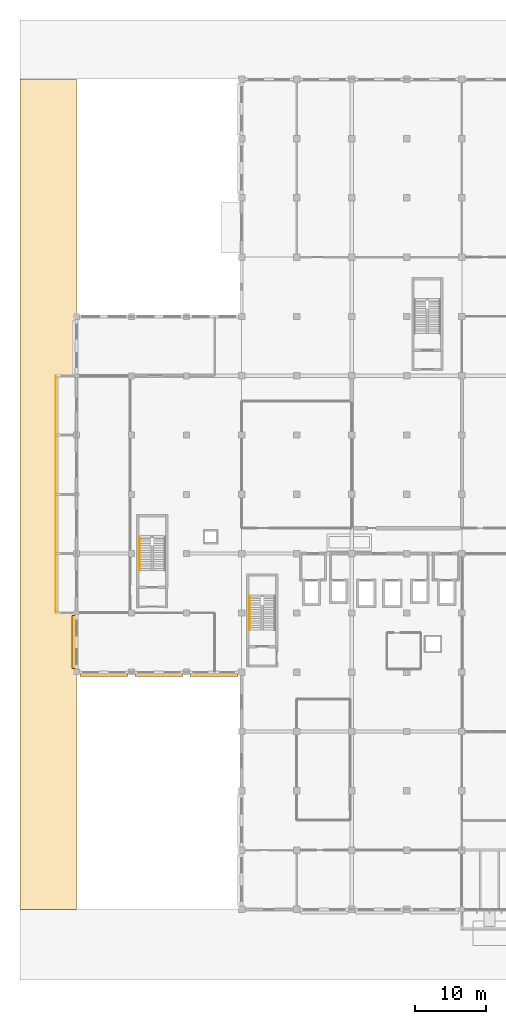
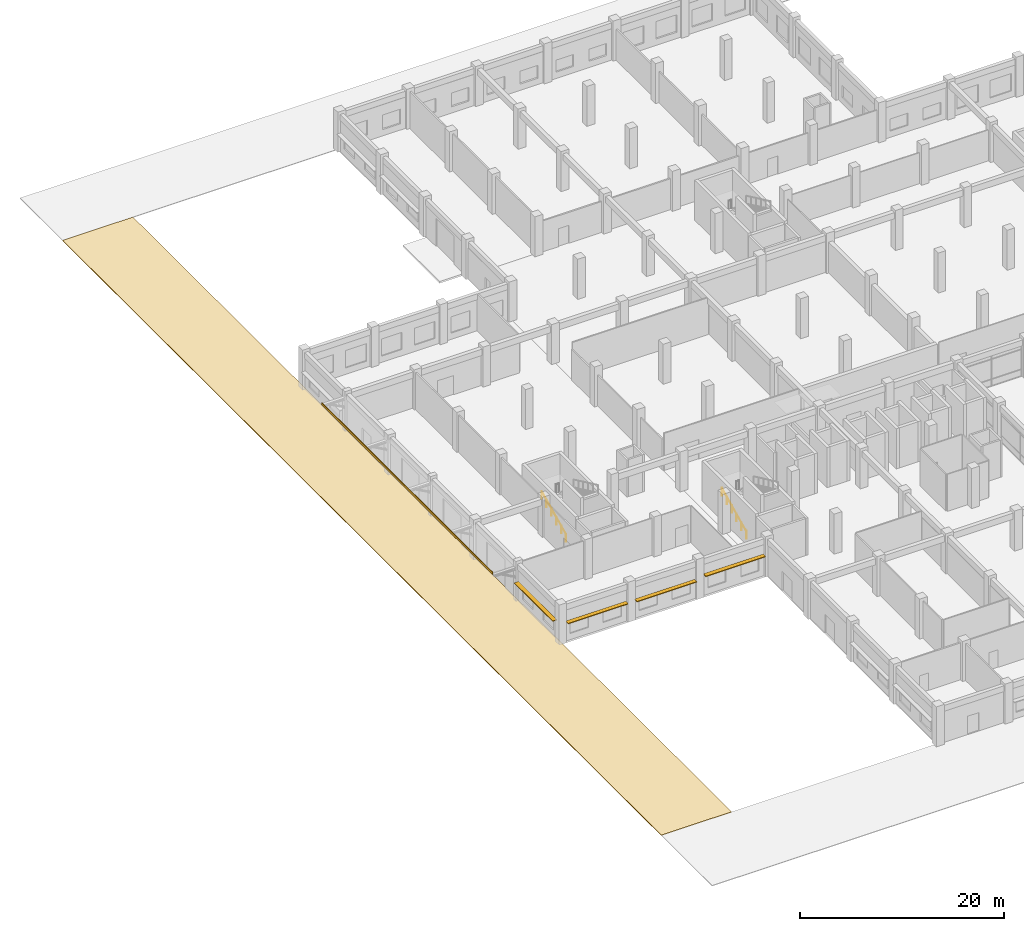
# One storey, part 62 of 74: 5 shading devices, 2 railings, 1 covering.
"""IFC4 building model written with IfcOpenShell, lengths in metres."""

from ifc_helpers import new_model, si_unit, direction, frame, origin, origin_2d, place, context, subcontext, project, spatial, polyline, rectangle, circle, outline, extrude, material, layer, layer_set, type_object, element, save


model = new_model("IFC4")

# Units and contexts
model_context = context("Model", 3, precision=1e-05, world=origin(), true_north=direction((0.0, 1.0)))
body_context = subcontext(model_context, "Body", "Model", "MODEL_VIEW")
ifc_project = project(units=[si_unit("LENGTHUNIT", "METRE"), si_unit("AREAUNIT", "SQUARE_METRE"), si_unit("VOLUMEUNIT", "CUBIC_METRE"), si_unit("PLANEANGLEUNIT", "RADIAN"), si_unit("MASSUNIT", "GRAM", prefix="KILO"), si_unit("THERMODYNAMICTEMPERATUREUNIT", "KELVIN"), si_unit("POWERUNIT", "WATT")], contexts=[model_context])

# Site, building, storey
site_placement = place(None, origin())
site = spatial("IfcSite", under=ifc_project, at=site_placement, CompositionType="ELEMENT")
building_placement = place(site_placement, origin())
building = spatial("IfcBuilding", under=site, at=building_placement, Name="Srebrne Nadtorze General Hospital", CompositionType="ELEMENT")
storey_placement = place(building_placement, origin())
storey = spatial("IfcBuildingStorey", under=building, at=storey_placement, Name="L00", CompositionType="ELEMENT", Elevation=0.0)

# Covering
ifc_material_1 = material(Name="Concrete C35/45 precast", Category="concrete")
ifc_layer_1 = layer(ifc_material_1, 0.080078125)
ifc_layer_set_1 = layer_set([ifc_layer_1], Name="Concrete C35/45 precast")
covering_type = type_object("IfcCoveringType", Name="Granite civic forecourt and perimeter paving", PredefinedType="USERDEFINED", material=ifc_layer_set_1)
covering_placement = place(storey_placement, frame((0.0, 0.0, -0.080078125)))
element("IfcCovering", 1, at=covering_placement, inside=storey, type_object=covering_type, Name="Civic plaza and perimeter site access paving WEST", ObjectType="PAVING", PredefinedType="USERDEFINED", context=body_context, shape_type="SweptSolid", body=[
    extrude(outline(polyline([(-8.0, -0.02001953125), (-0.02001953125, -0.02001953125), (-0.02001953125, 117.6201171875), (-8.0, 117.6201171875), (-8.0, -0.02001953125)])), origin(), (0.0, 0.0, 1.0), 0.080078125),
])

# Shading devices
ifc_material_2 = material(Name="Anodised Aluminium", Category="aluminium")
ifc_layer_2 = layer(ifc_material_2, 0.080078125)
ifc_layer_set_2 = layer_set([ifc_layer_2], Name="Anodised Aluminium")
shading_device_type = type_object("IfcShadingDeviceType", Name="Hisashi horizontal aluminium sunshade", PredefinedType="JALOUSIE", material=ifc_layer_set_2)
for number, where, z_axis, x_axis, name in (
    (2, (3.89990234375, 33.219970703125, 2.320068359375), (0.0, 0.0, 1.0), (1.0, 0.0, 0.0), "Hisashi horizontal sunshade eave LV-020"),
    (3, (11.699951171875, 33.219970703125, 2.219970703125), (0.0, 0.0, 1.0), (1.0, 0.0, 0.0), "Hisashi horizontal sunshade eave LV-021"),
):
    element("IfcShadingDevice", number, at=place(storey_placement, frame(where, z_axis=z_axis, x_axis=x_axis)), inside=storey, type_object=shading_device_type, Name=name, PredefinedType="JALOUSIE", context=body_context, shape_type="SweptSolid", body=[
        extrude(rectangle(XDim=6.7900390625, YDim=0.47998046875, at=origin_2d()), origin(), (0.0, 0.0, 1.0), 0.080078125),
    ])
shading_device_1_placement = place(storey_placement, frame((19.487548828125, 33.219970703125, 2.52001953125), z_axis=(0.0, 0.0, 1.0), x_axis=(1.0, 0.0, 0.0)))
element("IfcShadingDevice", 4, at=shading_device_1_placement, inside=storey, type_object=shading_device_type, Name="Hisashi horizontal sunshade eave LV-022", PredefinedType="JALOUSIE", context=body_context, shape_type="SweptSolid", body=[
    extrude(rectangle(XDim=6.764892578125, YDim=0.47998046875, at=origin_2d()), origin(), (0.0, 0.0, 1.0), 0.080078125),
])
shading_device_2_placement = place(storey_placement, frame((-0.3798828125, 37.887451171875, 2.320068359375), z_axis=(0.0, 0.0, 1.0), x_axis=(1.0, 0.0, 0.0)))
element("IfcShadingDevice", 5, at=shading_device_2_placement, inside=storey, type_object=shading_device_type, Name="Hisashi horizontal sunshade eave LV-026", PredefinedType="JALOUSIE", context=body_context, shape_type="SweptSolid", body=[
    extrude(rectangle(XDim=0.47998046875, YDim=7.56494140625, at=origin_2d()), origin(), (0.0, 0.0, 1.0), 0.080078125),
])
shading_device_3_placement = place(storey_placement, frame((-2.8701171875, 58.800048828125, 3.97998046875), z_axis=(0.0, 0.0, 1.0), x_axis=(1.0, 0.0, 0.0)))
element("IfcShadingDevice", 6, at=shading_device_3_placement, inside=storey, type_object=shading_device_type, Name="West ambulance canopy aluminium fascia", PredefinedType="JALOUSIE", context=body_context, shape_type="SweptSolid", body=[
    extrude(rectangle(XDim=0.080078125, YDim=33.60009765625, at=origin_2d()), origin(), (0.0, 0.0, 1.0), 0.280029296875),
])

# Railings
ifc_material_3 = material(Name="Stainless Steel 316", Category="steel")
railing_type = type_object("IfcRailingType", Name="Tubular stainless handrail 920", PredefinedType="HANDRAIL", material=ifc_material_3)
railing_1_placement = place(storey_placement, frame((24.530029296875, 39.60009765625, 0.14990234375)))
element("IfcRailing", 7, at=railing_1_placement, inside=storey, type_object=railing_type, Name="Stair flight handrail ST-01-L00 F1", PredefinedType="HANDRAIL", context=body_context, shape_type="SweptSolid", body=[
    extrude(circle(Radius=0.02392578125, at=origin_2d()), frame((0.0, 0.0, 0.89599609375), z_axis=(0.0, 0.905452298538, 0.424448035774), x_axis=(-1.0, 0.0, 0.0)), (0.0, 0.0, 1.0), 5.301025390625),
    extrude(circle(Radius=0.02099609375, at=origin_2d()), origin(), (0.0, 0.0, 1.0), 0.871826171875),
    extrude(circle(Radius=0.02099609375, at=origin_2d()), frame((0.0, 0.9599609375, 0.449951171875)), (0.0, 0.0, 1.0), 0.871826171875),
    extrude(circle(Radius=0.02099609375, at=origin_2d()), frame((0.0, 1.919921875, 0.89990234375)), (0.0, 0.0, 1.0), 0.871826171875),
    extrude(circle(Radius=0.02099609375, at=origin_2d()), frame((0.0, 2.8798828125, 1.35009765625)), (0.0, 0.0, 1.0), 0.871826171875),
    extrude(circle(Radius=0.02099609375, at=origin_2d()), frame((0.0, 3.83984375, 1.800048828125)), (0.0, 0.0, 1.0), 0.871826171875),
    extrude(circle(Radius=0.02099609375, at=origin_2d()), frame((0.0, 4.7998046875, 2.25)), (0.0, 0.0, 1.0), 0.871826171875),
])
railing_2_placement = place(storey_placement, frame((8.929931640625, 48.0, 0.14990234375)))
element("IfcRailing", 8, at=railing_2_placement, inside=storey, type_object=railing_type, Name="Stair flight handrail ST-05-L00 F1", PredefinedType="HANDRAIL", context=body_context, shape_type="SweptSolid", body=[
    extrude(circle(Radius=0.02392578125, at=origin_2d()), frame((0.0, 0.0, 0.89599609375), z_axis=(0.0, 0.90546059521, 0.424430336476), x_axis=(-1.0, 0.0, 0.0)), (0.0, 0.0, 1.0), 5.30126953125),
    extrude(circle(Radius=0.02099609375, at=origin_2d()), origin(), (0.0, 0.0, 1.0), 0.871826171875),
    extrude(circle(Radius=0.02099609375, at=origin_2d()), frame((0.0, 0.9599609375, 0.449951171875)), (0.0, 0.0, 1.0), 0.871826171875),
    extrude(circle(Radius=0.02099609375, at=origin_2d()), frame((0.0, 1.919921875, 0.89990234375)), (0.0, 0.0, 1.0), 0.871826171875),
    extrude(circle(Radius=0.02099609375, at=origin_2d()), frame((0.0, 2.880126953125, 1.35009765625)), (0.0, 0.0, 1.0), 0.871826171875),
    extrude(circle(Radius=0.02099609375, at=origin_2d()), frame((0.0, 3.840087890625, 1.800048828125)), (0.0, 0.0, 1.0), 0.871826171875),
    extrude(circle(Radius=0.02099609375, at=origin_2d()), frame((0.0, 4.800048828125, 2.25)), (0.0, 0.0, 1.0), 0.871826171875),
])

save(model, "model.ifc")
